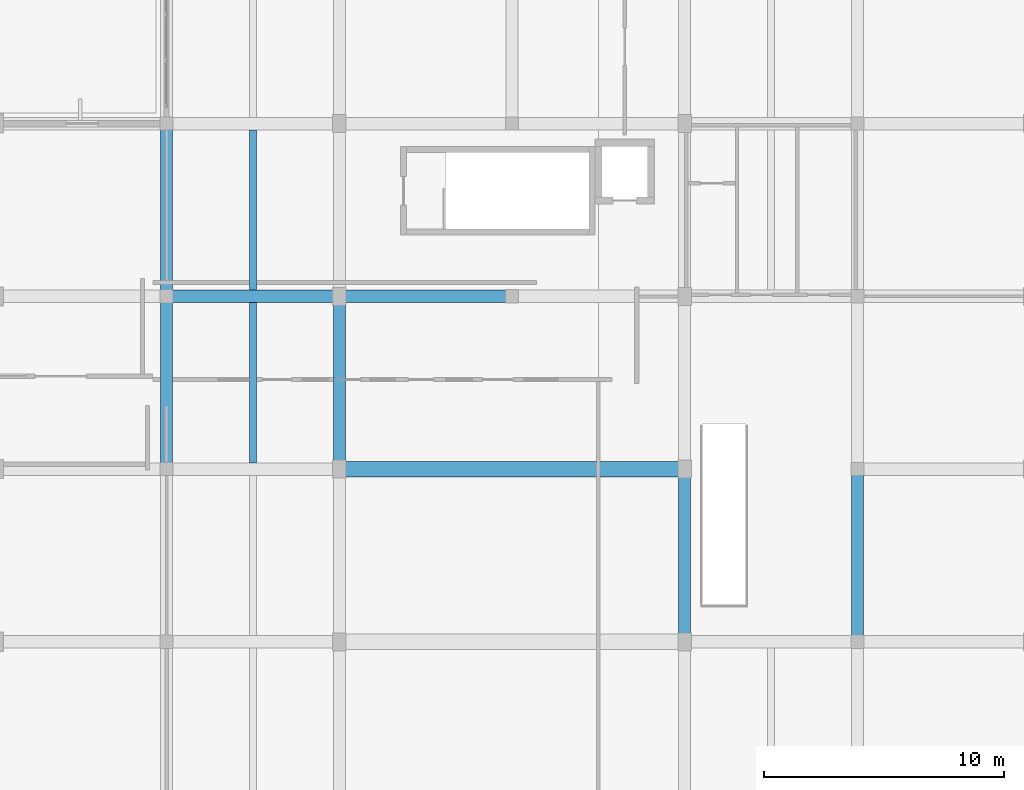
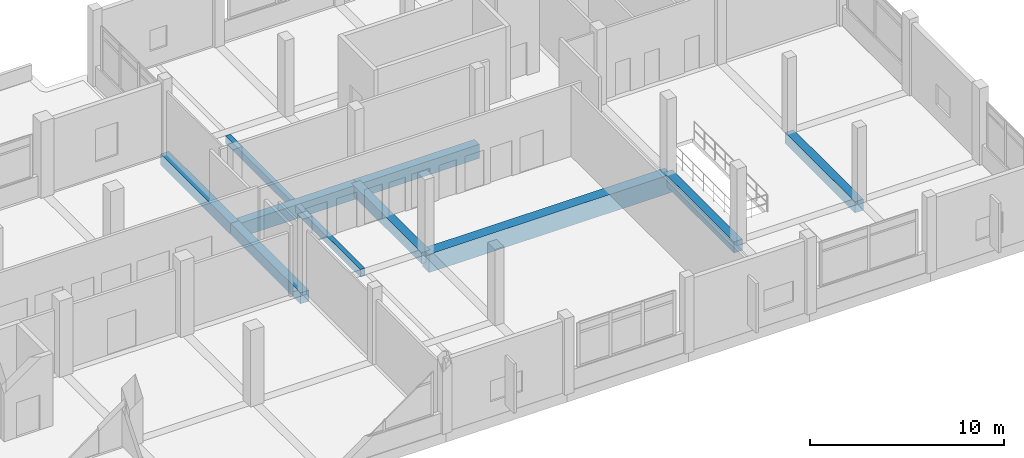
# One storey, part 84 of 140: 10 beams.
"""IFC4 building model written with IfcOpenShell, lengths in metres."""

from ifc_helpers import new_model, si_unit, direction, frame, origin, origin_2d, place, context, subcontext, project, spatial, rectangle, extrude, material, material_profile, profile_set, type_object, element, save


model = new_model("IFC4")

# Units and contexts
model_context = context("Model", 3, precision=1e-05, world=origin(), true_north=direction((0.0, 1.0)))
body_context = subcontext(model_context, "Body", "Model", "MODEL_VIEW")
ifc_project = project(units=[si_unit("LENGTHUNIT", "METRE"), si_unit("AREAUNIT", "SQUARE_METRE"), si_unit("VOLUMEUNIT", "CUBIC_METRE"), si_unit("PLANEANGLEUNIT", "RADIAN"), si_unit("MASSUNIT", "GRAM", prefix="KILO")], contexts=[model_context])

# Site, building, storey
site_placement = place(None, origin())
site = spatial("IfcSite", under=ifc_project, at=site_placement, CompositionType="ELEMENT")
building_placement = place(site_placement, origin())
building = spatial("IfcBuilding", under=site, at=building_placement, Name="Seraya Terrace Polytechnic", CompositionType="ELEMENT")
storey_placement = place(building_placement, frame((0.0, 0.0, 9.60009765625)))
storey = spatial("IfcBuildingStorey", under=building, at=storey_placement, Name="L02", CompositionType="ELEMENT", Elevation=9.60009765625)

# Beams
ifc_material = material(Name="Concrete C40/50", Category="concrete")
ifc_material_profile_1 = material_profile(ifc_material, rectangle(XDim=0.64990234375, YDim=1.14990234375, at=origin_2d()), Name="RC 650x1150")
ifc_profile_set_1 = profile_set([ifc_material_profile_1], Name="Concrete C40/50")
beam_type_1 = type_object("IfcBeamType", Name="BG-02", PredefinedType="USERDEFINED", material=ifc_profile_set_1)
beam_1_placement = place(storey_placement, frame((136.800048828125, 14.39990234375, -0.5751953125), z_axis=(1.0, 0.0, 0.0), x_axis=(0.0, 1.0, 0.0)))
element("IfcBeam", 1, at=beam_1_placement, inside=storey, type_object=beam_type_1, Name="Beam BG-02 L02 X (136.8..151.2, 14.4)", ObjectType="GIRDER", PredefinedType="USERDEFINED", context=body_context, shape_type="SweptSolid", body=[
    extrude(rectangle(XDim=0.64990234375, YDim=1.14990234375, at=origin_2d()), origin(), (0.0, 0.0, 1.0), 14.39990234375),
])
ifc_material_profile_2 = material_profile(ifc_material, rectangle(XDim=0.52001953125, YDim=0.8798828125, at=origin_2d()), Name="RC 520x880")
ifc_profile_set_2 = profile_set([ifc_material_profile_2], Name="Concrete C40/50")
beam_type_2 = type_object("IfcBeamType", Name="BM-04", PredefinedType="BEAM", material=ifc_profile_set_2)
for number, where, z_axis, x_axis, name in (
    (2, (129.60009765625, 21.60009765625, -0.440185546875), (1.0, 0.0, 0.0), (0.0, 1.0, 0.0), "Beam BM-04 L02 X (129.6..136.8, 21.6)"),
    (3, (136.800048828125, 21.60009765625, -0.440185546875), (1.0, 0.0, 0.0), (0.0, 1.0, 0.0), "Beam BM-04 L02 X (136.8..144.0, 21.6)"),
):
    element("IfcBeam", number, at=place(storey_placement, frame(where, z_axis=z_axis, x_axis=x_axis)), inside=storey, type_object=beam_type_2, Name=name, PredefinedType="BEAM", context=body_context, shape_type="SweptSolid", body=[
        extrude(rectangle(XDim=0.52001953125, YDim=0.8798828125, at=origin_2d()), origin(), (0.0, 0.0, 1.0), 7.199951171875),
    ])
ifc_material_profile_3 = material_profile(ifc_material, rectangle(XDim=0.5, YDim=0.699951171875, at=origin_2d()), Name="RC 500x700")
ifc_profile_set_3 = profile_set([ifc_material_profile_3], Name="Concrete C40/50")
beam_type_3 = type_object("IfcBeamType", Name="BM-07", PredefinedType="BEAM", material=ifc_profile_set_3)
beam_2_placement = place(storey_placement, frame((129.60009765625, 14.39990234375, -0.35009765625), z_axis=(0.0, 1.0, 0.0), x_axis=(-1.0, 0.0, 0.0)))
element("IfcBeam", 4, at=beam_2_placement, inside=storey, type_object=beam_type_3, Name="Beam BM-07 L02 Y (129.6, 14.4..21.6)", PredefinedType="BEAM", context=body_context, shape_type="SweptSolid", body=[
    extrude(rectangle(XDim=0.5, YDim=0.699951171875, at=origin_2d()), origin(), (0.0, 0.0, 1.0), 7.2001953125),
])
beam_3_placement = place(storey_placement, frame((129.60009765625, 21.60009765625, -0.35009765625), z_axis=(0.0, 1.0, 0.0), x_axis=(-1.0, 0.0, 0.0)))
element("IfcBeam", 5, at=beam_3_placement, inside=storey, type_object=beam_type_3, Name="Beam BM-07 L02 Y (129.6, 21.6..28.8)", PredefinedType="BEAM", context=body_context, shape_type="SweptSolid", body=[
    extrude(rectangle(XDim=0.5, YDim=0.699951171875, at=origin_2d()), origin(), (0.0, 0.0, 1.0), 7.199951171875),
])
beam_4_placement = place(storey_placement, frame((136.800048828125, 14.39990234375, -0.35009765625), z_axis=(0.0, 1.0, 0.0), x_axis=(-1.0, 0.0, 0.0)))
element("IfcBeam", 6, at=beam_4_placement, inside=storey, type_object=beam_type_3, Name="Beam BM-07 L02 Y (136.8, 14.4..21.6)", PredefinedType="BEAM", context=body_context, shape_type="SweptSolid", body=[
    extrude(rectangle(XDim=0.5, YDim=0.699951171875, at=origin_2d()), origin(), (0.0, 0.0, 1.0), 7.2001953125),
])
for number, where, z_axis, x_axis, name in (
    (7, (151.199951171875, 7.199951171875, -0.35009765625), (0.0, 1.0, 0.0), (-1.0, 0.0, 0.0), "Beam BM-07 L02 Y (151.2, 7.2..14.4)"),
    (8, (158.39990234375, 7.199951171875, -0.35009765625), (0.0, 1.0, 0.0), (-1.0, 0.0, 0.0), "Beam BM-07 L02 Y (158.4, 7.2..14.4)"),
):
    element("IfcBeam", number, at=place(storey_placement, frame(where, z_axis=z_axis, x_axis=x_axis)), inside=storey, type_object=beam_type_3, Name=name, PredefinedType="BEAM", context=body_context, shape_type="SweptSolid", body=[
        extrude(rectangle(XDim=0.5, YDim=0.699951171875, at=origin_2d()), origin(), (0.0, 0.0, 1.0), 7.199951171875),
    ])
ifc_material_profile_4 = material_profile(ifc_material, rectangle(XDim=0.280029296875, YDim=0.47998046875, at=origin_2d()), Name="RC 280x480")
ifc_profile_set_4 = profile_set([ifc_material_profile_4], Name="Concrete C40/50")
beam_type_4 = type_object("IfcBeamType", Name="JS-07", PredefinedType="JOIST", material=ifc_profile_set_4)
beam_5_placement = place(storey_placement, frame((133.199951171875, 14.659912109375, -0.239990234375), z_axis=(0.0, 1.0, 0.0), x_axis=(-1.0, 0.0, 0.0)))
element("IfcBeam", 9, at=beam_5_placement, inside=storey, type_object=beam_type_4, Name="Secondary joist JS-07 L02", PredefinedType="JOIST", context=body_context, shape_type="SweptSolid", body=[
    extrude(rectangle(XDim=0.280029296875, YDim=0.47998046875, at=origin_2d()), origin(), (0.0, 0.0, 1.0), 6.68017578125),
])
beam_6_placement = place(storey_placement, frame((133.199951171875, 21.860107421875, -0.239990234375), z_axis=(0.0, 1.0, 0.0), x_axis=(-1.0, 0.0, 0.0)))
element("IfcBeam", 10, at=beam_6_placement, inside=storey, type_object=beam_type_4, Name="Secondary joist JS-07 L02", PredefinedType="JOIST", context=body_context, shape_type="SweptSolid", body=[
    extrude(rectangle(XDim=0.280029296875, YDim=0.47998046875, at=origin_2d()), origin(), (0.0, 0.0, 1.0), 6.679931640625),
])

save(model, "model.ifc")
